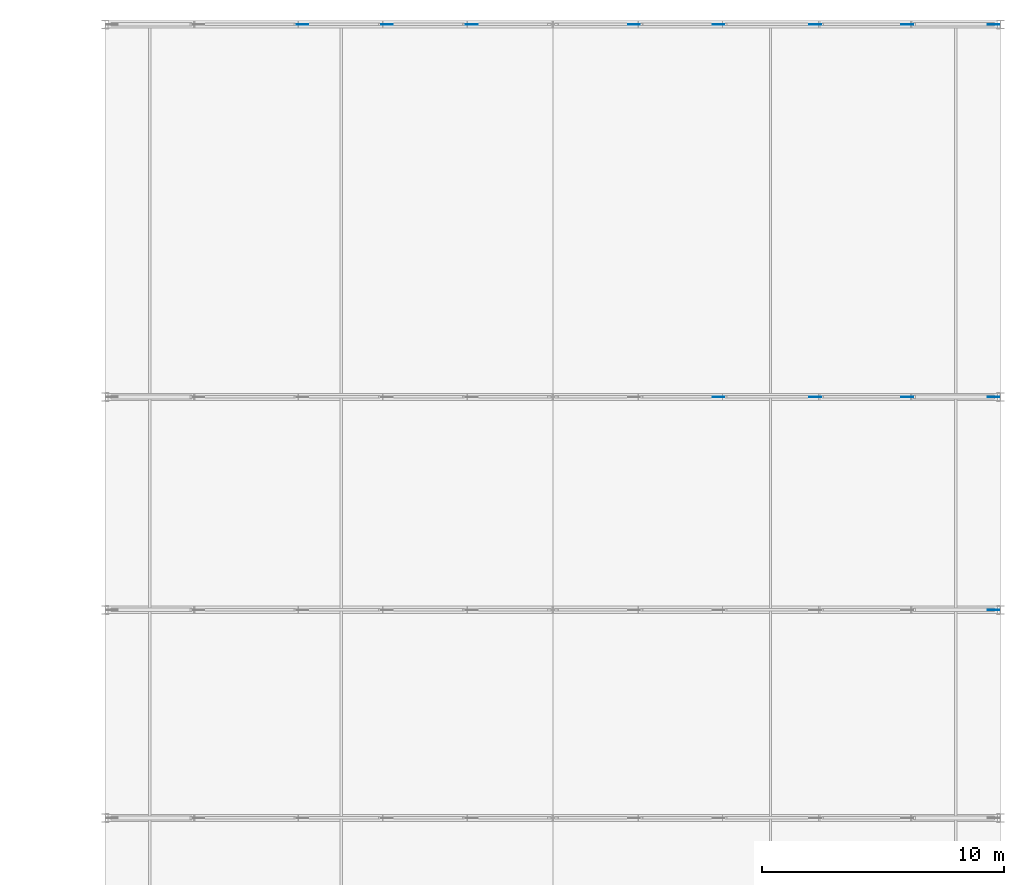
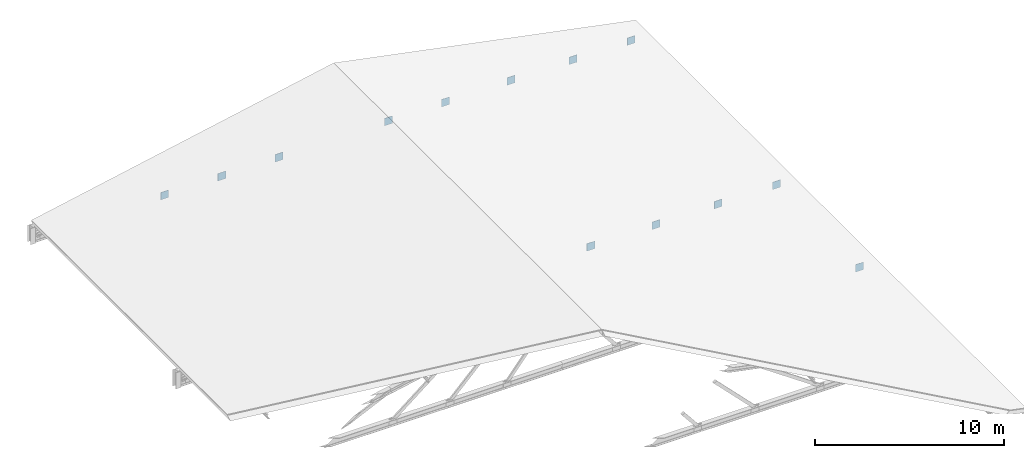
# One storey, part 38 of 47: 13 plates.
"""IFC4 building model written with IfcOpenShell, lengths in metres."""

from ifc_helpers import new_model, si_unit, direction, frame, origin, origin_2d, place, context, subcontext, project, spatial, rectangle, extrude, material, layer, layer_set, type_object, element, save


model = new_model("IFC4")

# Units and contexts
model_context = context("Model", 3, precision=1e-05, world=origin(), true_north=direction((0.0, 1.0)))
body_context = subcontext(model_context, "Body", "Model", "MODEL_VIEW")
ifc_project = project(units=[si_unit("LENGTHUNIT", "METRE"), si_unit("AREAUNIT", "SQUARE_METRE"), si_unit("VOLUMEUNIT", "CUBIC_METRE"), si_unit("PLANEANGLEUNIT", "RADIAN"), si_unit("MASSUNIT", "GRAM", prefix="KILO")], contexts=[model_context])

# Site, building, storey
site_placement = place(None, origin())
site = spatial("IfcSite", under=ifc_project, at=site_placement, CompositionType="ELEMENT")
building_placement = place(site_placement, origin())
building = spatial("IfcBuilding", under=site, at=building_placement, Name="Muzn Square Opera House", CompositionType="ELEMENT")
storey_placement = place(building_placement, frame((0.0, 0.0, 31.0)))
storey = spatial("IfcBuildingStorey", under=building, at=storey_placement, Name="RF-1", CompositionType="ELEMENT", Elevation=31.0)

# Plates
ifc_material = material(Name="Steel S355", Category="steel")
ifc_layer = layer(ifc_material, 0.02392578125, Name="Steel S355", Category="steel")
ifc_layer_set = layer_set([ifc_layer], Name="Steel S355")
plate_type = type_object("IfcPlateType", Name="Rehearsal Gusset Plate 24mm 480x480", PredefinedType="USERDEFINED", material=ifc_layer_set)
for number, where, z_axis, x_axis, name in (
    (1, (169.719970703125, 89.800048828125, -7.619873046875), (0.0, 0.0, 1.0), (1.0, 0.0, 0.0), "Rehearsal Truss Gusset Plate T3-9"),
    (2, (158.35009765625, 98.60009765625, -7.619873046875), (0.0, 0.0, 1.0), (1.0, 0.0, 0.0), "Rehearsal Truss Gusset Plate T4-6"),
    (3, (162.35009765625, 98.60009765625, -7.619873046875), (0.0, 0.0, 1.0), (1.0, 0.0, 0.0), "Rehearsal Truss Gusset Plate T4-7"),
    (4, (166.14990234375, 98.60009765625, -7.619873046875), (0.0, 0.0, 1.0), (1.0, 0.0, 0.0), "Rehearsal Truss Gusset Plate T4-8"),
    (5, (169.719970703125, 98.60009765625, -7.619873046875), (0.0, 0.0, 1.0), (1.0, 0.0, 0.0), "Rehearsal Truss Gusset Plate T4-9"),
    (6, (141.14990234375, 114.0, -7.619873046875), (0.0, 0.0, 1.0), (1.0, 0.0, 0.0), "Rehearsal Truss Gusset Plate T5-2"),
    (7, (144.64990234375, 114.0, -7.619873046875), (0.0, 0.0, 1.0), (1.0, 0.0, 0.0), "Rehearsal Truss Gusset Plate T5-3"),
    (8, (148.14990234375, 114.0, -7.619873046875), (0.0, 0.0, 1.0), (1.0, 0.0, 0.0), "Rehearsal Truss Gusset Plate T5-4"),
    (9, (154.85009765625, 114.0, -7.619873046875), (0.0, 0.0, 1.0), (1.0, 0.0, 0.0), "Rehearsal Truss Gusset Plate T5-5"),
    (10, (158.35009765625, 114.0, -7.619873046875), (0.0, 0.0, 1.0), (1.0, 0.0, 0.0), "Rehearsal Truss Gusset Plate T5-6"),
    (11, (162.35009765625, 114.0, -7.619873046875), (0.0, 0.0, 1.0), (1.0, 0.0, 0.0), "Rehearsal Truss Gusset Plate T5-7"),
    (12, (166.14990234375, 114.0, -7.619873046875), (0.0, 0.0, 1.0), (1.0, 0.0, 0.0), "Rehearsal Truss Gusset Plate T5-8"),
    (13, (169.719970703125, 114.0, -7.619873046875), (0.0, 0.0, 1.0), (1.0, 0.0, 0.0), "Rehearsal Truss Gusset Plate T5-9"),
):
    element("IfcPlate", number, at=place(storey_placement, frame(where, z_axis=z_axis, x_axis=x_axis)), inside=storey, type_object=plate_type, Name=name, ObjectType="GUSSET PLATE", PredefinedType="USERDEFINED", context=body_context, shape_type="SweptSolid", body=[
        extrude(rectangle(XDim=0.47998046875, YDim=0.02392578125, at=origin_2d()), origin(), (0.0, 0.0, 1.0), 0.47998046875),
    ])

save(model, "model.ifc")
